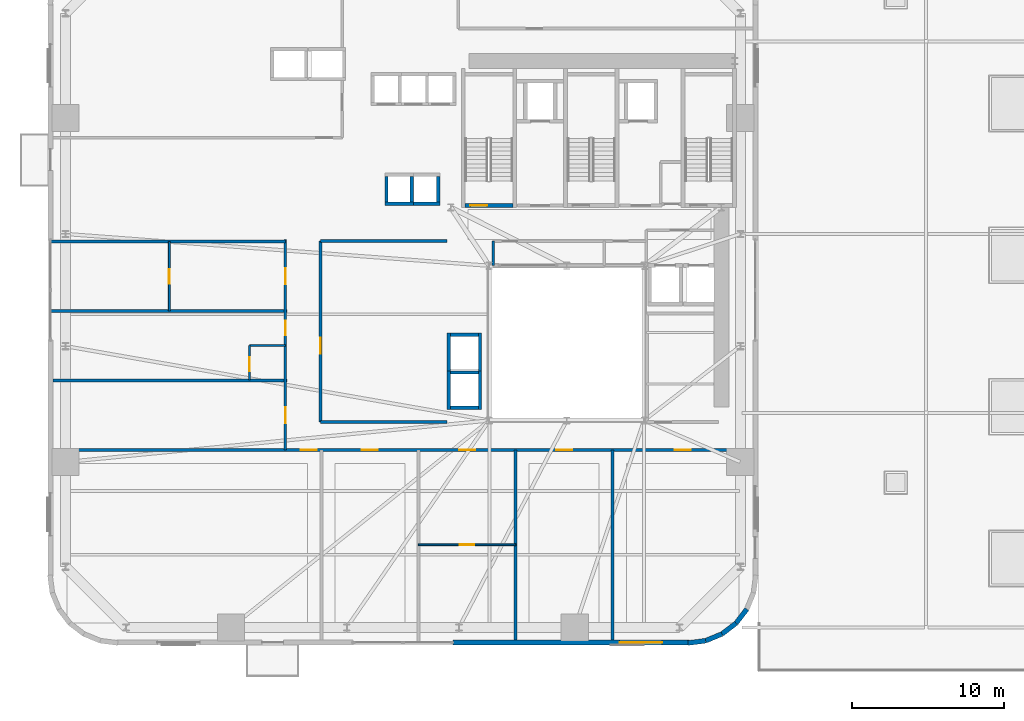
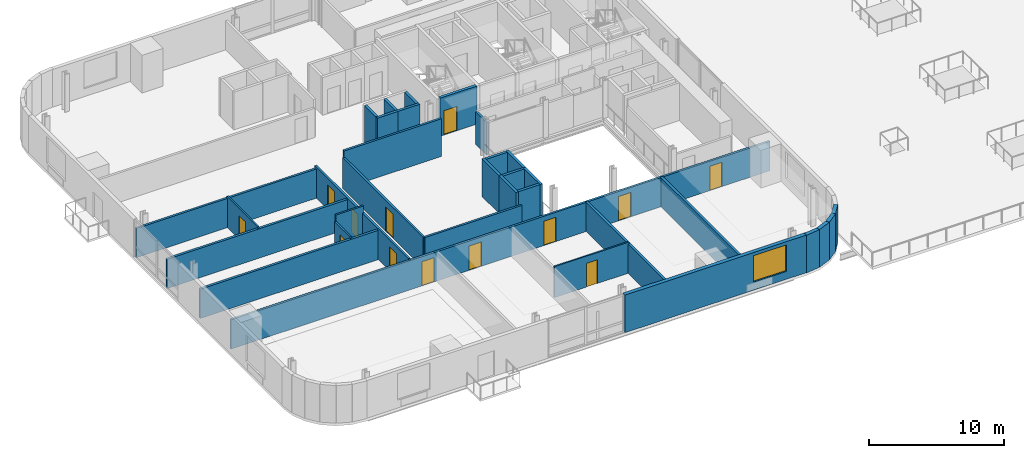
# One storey, part 9 of 18: 33 walls, 13 doors, 1 window, 14 openings.
"""IFC4 building model written with IfcOpenShell, lengths in metres."""

from ifc_helpers import new_model, si_unit, direction, frame, frame_2d, origin, place, context, subcontext, project, spatial, rectangle, extrude, source, transform, mapped, material, layer, layer_set, type_object, element, fill, save


model = new_model("IFC4")

# Units and contexts
model_context = context("Model", 3, precision=1e-05, world=origin(), true_north=direction((0.0, 1.0)))
body_context = subcontext(model_context, "Body", "Model", "MODEL_VIEW")
ifc_project = project(units=[si_unit("LENGTHUNIT", "METRE"), si_unit("AREAUNIT", "SQUARE_METRE"), si_unit("VOLUMEUNIT", "CUBIC_METRE"), si_unit("PLANEANGLEUNIT", "RADIAN"), si_unit("MASSUNIT", "GRAM", prefix="KILO")], contexts=[model_context])

# Site, building, storey
site_placement = place(None, origin())
site = spatial("IfcSite", under=ifc_project, at=site_placement, CompositionType="ELEMENT")
building_placement = place(site_placement, origin())
building = spatial("IfcBuilding", under=site, at=building_placement, Name="Vardaveli Station Tower", CompositionType="ELEMENT")
storey_placement = place(building_placement, frame((0.0, 0.0, 27.60009765625)))
storey = spatial("IfcBuildingStorey", under=building, at=storey_placement, Name="L06", CompositionType="ELEMENT", Elevation=27.60009765625)

# Wall, opening, window
ifc_material_1 = material(Name="Precast concrete C45/55", Category="concrete")
ifc_layer_1 = layer(ifc_material_1, 0.320068359375, Name="Precast concrete C45/55")
ifc_layer_set_1 = layer_set([ifc_layer_1], Name="Precast concrete C45/55")
wall_type_1 = type_object("IfcWallType", Name="WAL-EXT-STONE-320", PredefinedType="SOLIDWALL", material=ifc_layer_set_1)
shared_shape_1 = source(origin(), body_context, "Body", "SweptSolid", [
    extrude(rectangle(XDim=15.599853515625, YDim=0.320068359375, at=frame_2d((7.7998046875, 0.0))), origin(), (0.0, 0.0, 1.0), 3.409912109375),
])
wall_1_placement = place(storey_placement, frame((28.800048828125, 1.9599609375, 0.0), z_axis=(0.0, 0.0, 1.0), x_axis=(1.0, 0.0, 0.0)))
wall_1 = element("IfcWall", 1, at=wall_1_placement, inside=storey, type_object=wall_type_1, Name="EW-L06-S2", PredefinedType="SOLIDWALL", context=body_context, shape_type="MappedRepresentation", body=[
    mapped(shared_shape_1, transform((0.0, 0.0, 0.0), scale=1.0)),
])
shared_shape_2 = source(origin(), body_context, "Body", "SweptSolid", [
    extrude(rectangle(XDim=2.800048828125, YDim=2.39990234375, at=frame_2d((1.39990234375, 1.199951171875))), frame((0.0, 0.169921875, 0.0), z_axis=(0.0, -1.0, 0.0), x_axis=(1.0, 0.0, 0.0)), (0.0, 0.0, 1.0), 0.340087890625),
])
opening_1_placement = place(wall_1_placement, frame((10.9951171875, 0.0, 0.719970703125)))
opening_1 = element("IfcOpeningElement", 2, at=opening_1_placement, cuts=wall_1, Name="Opening W-04", PredefinedType="OPENING", context=body_context, shape_type="MappedRepresentation", body=[
    mapped(shared_shape_2, transform((0.0, 0.0, 0.0), scale=1.0)),
])
ifc_material_2 = material(Name="Low-E solar-control glass", Category="glass")
window_type = type_object("IfcWindowType", Name="WIN-SUITE-2800x2400", PartitioningType="SINGLE_PANEL", PredefinedType="WINDOW", material=ifc_material_2)
shared_shape_3 = source(origin(), body_context, "Body", "SweptSolid", [
    extrude(rectangle(XDim=2.800048828125, YDim=2.39990234375, at=frame_2d((1.39990234375, 1.199951171875))), frame((0.0, 0.030029296875, 0.0), z_axis=(0.0, -1.0, 0.0), x_axis=(1.0, 0.0, 0.0)), (0.0, 0.0, 1.0), 0.06005859375),
])
window_placement = place(opening_1_placement, origin())
window = element("IfcWindow", 3, at=window_placement, inside=storey, type_object=window_type, Name="WN-L06-S2", OverallHeight=2.39990234375, OverallWidth=2.800048828125, PartitioningType="SINGLE_PANEL", PredefinedType="WINDOW", context=body_context, shape_type="MappedRepresentation", body=[
    mapped(shared_shape_3, transform((0.0, 0.0, 0.0), scale=1.0)),
])
fill(opening_1, window)

# Walls
shared_shape_4 = source(origin(), body_context, "Body", "SweptSolid", [
    extrude(rectangle(XDim=1.1689453125, YDim=0.320068359375, at=frame_2d((0.58447265625, 0.0))), origin(), (0.0, 0.0, 1.0), 3.409912109375),
])
wall_2_placement = place(storey_placement, frame((47.46875, 3.231201171875, 0.0), z_axis=(0.0, 0.0, 1.0), x_axis=(0.608387696831, 0.793639975269, 0.0)))
element("IfcWall", 4, at=wall_2_placement, inside=storey, type_object=wall_type_1, Name="EW-L06-CR2-4", PredefinedType="SOLIDWALL", context=body_context, shape_type="MappedRepresentation", body=[
    mapped(shared_shape_4, transform((0.0, 0.0, 0.0), scale=1.0)),
])
shared_shape_5 = source(origin(), body_context, "Body", "SweptSolid", [
    extrude(rectangle(XDim=1.168701171875, YDim=0.320068359375, at=frame_2d((0.58447265625, 0.0))), origin(), (0.0, 0.0, 1.0), 3.409912109375),
])
wall_3_placement = place(storey_placement, frame((46.541259765625, 2.520263671875, 0.0), z_axis=(0.0, 0.0, 1.0), x_axis=(0.793663520347, 0.608356981114, 0.0)))
element("IfcWall", 5, at=wall_3_placement, inside=storey, type_object=wall_type_1, Name="EW-L06-CR2-3", PredefinedType="SOLIDWALL", context=body_context, shape_type="MappedRepresentation", body=[
    mapped(shared_shape_5, transform((0.0, 0.0, 0.0), scale=1.0)),
])
shared_shape_6 = source(origin(), body_context, "Body", "SweptSolid", [
    extrude(rectangle(XDim=1.16943359375, YDim=0.320068359375, at=frame_2d((0.584716796875, 0.0))), origin(), (0.0, 0.0, 1.0), 3.409912109375),
])
wall_4_placement = place(storey_placement, frame((45.460205078125, 2.074462890625, 0.0), z_axis=(0.0, 0.0, 1.0), x_axis=(0.924479075121, 0.381232789334, 0.0)))
element("IfcWall", 6, at=wall_4_placement, inside=storey, type_object=wall_type_1, Name="EW-L06-CR2-2", PredefinedType="SOLIDWALL", context=body_context, shape_type="MappedRepresentation", body=[
    mapped(shared_shape_6, transform((0.0, 0.0, 0.0), scale=1.0)),
])
shared_shape_7 = source(origin(), body_context, "Body", "SweptSolid", [
    extrude(rectangle(XDim=1.170166015625, YDim=0.320068359375, at=frame_2d((0.5849609375, 0.0))), origin(), (0.0, 0.0, 1.0), 3.409912109375),
])
wall_5_placement = place(storey_placement, frame((44.299560546875, 1.924560546875, 0.0), z_axis=(0.0, 0.0, 1.0), x_axis=(0.991762485493, 0.128090485085, 0.0)))
element("IfcWall", 7, at=wall_5_placement, inside=storey, type_object=wall_type_1, Name="EW-L06-CR2-1", PredefinedType="SOLIDWALL", context=body_context, shape_type="MappedRepresentation", body=[
    mapped(shared_shape_7, transform((0.0, 0.0, 0.0), scale=1.0)),
])

# Wall, opening, door
ifc_material_3 = material(Name="Concrete C40/50", Category="concrete")
ifc_layer_2 = layer(ifc_material_3, 0.25, Name="Concrete C40/50")
ifc_layer_set_2 = layer_set([ifc_layer_2], Name="Concrete C40/50")
wall_type_2 = type_object("IfcWallType", Name="WAL-SHAFT-250", PredefinedType="SOLIDWALL", material=ifc_layer_set_2)
shared_shape_8 = source(origin(), body_context, "Body", "SweptSolid", [
    extrude(rectangle(XDim=3.14990234375, YDim=0.25, at=frame_2d((1.574951171875, 0.0))), origin(), (0.0, 0.0, 1.0), 3.449951171875),
])
wall_6_placement = place(storey_placement, frame((29.60009765625, 30.77490234375, 0.0), z_axis=(0.0, 0.0, 1.0), x_axis=(1.0, 0.0, 0.0)))
wall_6 = element("IfcWall", 8, at=wall_6_placement, inside=storey, type_object=wall_type_2, Name="W-L06-ST-1S", PredefinedType="SOLIDWALL", context=body_context, shape_type="MappedRepresentation", body=[
    mapped(shared_shape_8, transform((0.0, 0.0, 0.0), scale=1.0)),
])
shared_shape_9 = source(origin(), body_context, "Body", "SweptSolid", [
    extrude(rectangle(XDim=1.10009765625, YDim=2.199951171875, at=frame_2d((0.550048828125, 1.10009765625))), frame((0.0, 0.135009765625, 0.0), z_axis=(0.0, -1.0, 0.0), x_axis=(1.0, 0.0, 0.0)), (0.0, 0.0, 1.0), 0.27001953125),
])
opening_2_placement = place(wall_6_placement, frame((0.35009765625, 0.0, 0.0)))
opening_2 = element("IfcOpeningElement", 9, at=opening_2_placement, cuts=wall_6, Name="Opening D-04", PredefinedType="OPENING", context=body_context, shape_type="MappedRepresentation", body=[
    mapped(shared_shape_9, transform((0.0, 0.0, 0.0), scale=1.0)),
])
ifc_material_4 = material(Name="Steel smokeproof fire doorset", Category="steel")
door_type_1 = type_object("IfcDoorType", Name="DR-ST-1100x2200", OperationType="NOTDEFINED", PredefinedType="DOOR", material=ifc_material_4)
shared_shape_10 = source(origin(), body_context, "Body", "SweptSolid", [
    extrude(rectangle(XDim=1.10009765625, YDim=2.199951171875, at=frame_2d((0.550048828125, 1.10009765625))), frame((0.0, 0.02490234375, 0.0), z_axis=(0.0, -1.0, 0.0), x_axis=(1.0, 0.0, 0.0)), (0.0, 0.0, 1.0), 0.050048828125),
])
door_1_placement = place(opening_2_placement, origin())
door_1 = element("IfcDoor", 10, at=door_1_placement, inside=storey, type_object=door_type_1, Name="DST-1-L06", OperationType="SINGLE_SWING_LEFT", OverallHeight=2.199951171875, OverallWidth=1.10009765625, PredefinedType="DOOR", context=body_context, shape_type="MappedRepresentation", body=[
    mapped(shared_shape_10, transform((0.0, 0.0, 0.0), scale=1.0)),
])
fill(opening_2, door_1)

# Walls
ifc_layer_3 = layer(ifc_material_3, 0.219970703125, Name="Concrete C40/50")
ifc_layer_set_3 = layer_set([ifc_layer_3], Name="Concrete C40/50")
wall_type_3 = type_object("IfcWallType", Name="WAL-FFLOBBY-220", PredefinedType="SOLIDWALL", material=ifc_layer_set_3)
shared_shape_11 = source(origin(), body_context, "Body", "SweptSolid", [
    extrude(rectangle(XDim=1.89013671875, YDim=0.219970703125, at=frame_2d((0.945068359375, 0.0))), origin(), (0.0, 0.0, 1.0), 3.409912109375),
])
for number, where, z_axis, x_axis, name in (
    (11, (24.304931640625, 30.889892578125, 0.0), (0.0, 0.0, 1.0), (1.0, 0.0, 0.0), "SHW-SHU-01-L06-S"),
    (12, (26.054931640625, 30.889892578125, 0.0), (0.0, 0.0, 1.0), (1.0, 0.0, 0.0), "SHW-SHU-02-L06-S"),
):
    element("IfcWall", number, at=place(storey_placement, frame(where, z_axis=z_axis, x_axis=x_axis)), inside=storey, type_object=wall_type_3, Name=name, PredefinedType="SOLIDWALL", context=body_context, shape_type="MappedRepresentation", body=[
        mapped(shared_shape_11, transform((0.0, 0.0, 0.0), scale=1.0)),
    ])
shared_shape_12 = source(origin(), body_context, "Body", "SweptSolid", [
    extrude(rectangle(XDim=1.699951171875, YDim=0.219970703125, at=frame_2d((0.85009765625, 0.0))), origin(), (0.0, 0.0, 1.0), 3.409912109375),
])
for number, where, z_axis, x_axis, name in (
    (13, (24.4150390625, 31.0, 0.0), (0.0, 0.0, 1.0), (0.0, 1.0, 0.0), "SHW-SHU-01-L06-W"),
    (14, (26.0849609375, 31.0, 0.0), (0.0, 0.0, 1.0), (0.0, 1.0, 0.0), "SHW-SHU-01-L06-E"),
    (15, (27.8349609375, 31.0, 0.0), (0.0, 0.0, 1.0), (0.0, 1.0, 0.0), "SHW-SHU-02-L06-E"),
):
    element("IfcWall", number, at=place(storey_placement, frame(where, z_axis=z_axis, x_axis=x_axis)), inside=storey, type_object=wall_type_3, Name=name, PredefinedType="SOLIDWALL", context=body_context, shape_type="MappedRepresentation", body=[
        mapped(shared_shape_12, transform((0.0, 0.0, 0.0), scale=1.0)),
    ])
shared_shape_13 = source(origin(), body_context, "Body", "SweptSolid", [
    extrude(rectangle(XDim=1.85009765625, YDim=0.219970703125, at=frame_2d((0.925048828125, 0.0))), origin(), (0.0, 0.0, 1.0), 3.409912109375),
])
for number, where, z_axis, x_axis, name in (
    (16, (28.625, 17.43994140625, 0.0), (0.0, 0.0, 1.0), (1.0, 0.0, 0.0), "SHW-OBS-01-L06-S"),
    (17, (28.625, 19.760009765625, 0.0), (0.0, 0.0, 1.0), (1.0, 0.0, 0.0), "SHW-OBS-01-L06-N"),
    (18, (28.625, 22.260009765625, 0.0), (0.0, 0.0, 1.0), (1.0, 0.0, 0.0), "SHW-OBS-02-L06-N"),
):
    element("IfcWall", number, at=place(storey_placement, frame(where, z_axis=z_axis, x_axis=x_axis)), inside=storey, type_object=wall_type_3, Name=name, PredefinedType="SOLIDWALL", context=body_context, shape_type="MappedRepresentation", body=[
        mapped(shared_shape_13, transform((0.0, 0.0, 0.0), scale=1.0)),
    ])
shared_shape_14 = source(origin(), body_context, "Body", "SweptSolid", [
    extrude(rectangle(XDim=2.5400390625, YDim=0.219970703125, at=frame_2d((1.27001953125, 0.0))), origin(), (0.0, 0.0, 1.0), 3.409912109375),
])
for number, where, z_axis, x_axis, name in (
    (19, (28.514892578125, 17.330078125, 0.0), (0.0, 0.0, 1.0), (0.0, 1.0, 0.0), "SHW-OBS-01-L06-W"),
    (20, (30.5849609375, 17.330078125, 0.0), (0.0, 0.0, 1.0), (0.0, 1.0, 0.0), "SHW-OBS-01-L06-E"),
    (21, (28.514892578125, 19.830078125, 0.0), (0.0, 0.0, 1.0), (0.0, 1.0, 0.0), "SHW-OBS-02-L06-W"),
    (22, (30.5849609375, 19.830078125, 0.0), (0.0, 0.0, 1.0), (0.0, 1.0, 0.0), "SHW-OBS-02-L06-E"),
):
    element("IfcWall", number, at=place(storey_placement, frame(where, z_axis=z_axis, x_axis=x_axis)), inside=storey, type_object=wall_type_3, Name=name, PredefinedType="SOLIDWALL", context=body_context, shape_type="MappedRepresentation", body=[
        mapped(shared_shape_14, transform((0.0, 0.0, 0.0), scale=1.0)),
    ])

# Wall, openings, doors
ifc_material_5 = material(Name="Fire-rated gypsum stud partition")
ifc_layer_4 = layer(ifc_material_5, 0.179931640625, Name="Fire-rated gypsum stud partition")
ifc_layer_set_4 = layer_set([ifc_layer_4], Name="Fire-rated gypsum stud partition")
wall_type_4 = type_object("IfcWallType", Name="WAL-CORR-180", PredefinedType="PARTITIONING", material=ifc_layer_set_4)
shared_shape_15 = source(origin(), body_context, "Body", "SweptSolid", [
    extrude(rectangle(XDim=46.15576171875, YDim=0.179931640625, at=frame_2d((23.077880859375, 0.0))), origin(), (0.0, 0.0, 1.0), 2.65185546875),
])
wall_7_placement = place(storey_placement, frame((2.422119140625, 14.659912109375, 0.0), z_axis=(0.0, 0.0, 1.0), x_axis=(1.0, 0.0, 0.0)))
wall_7 = element("IfcWall", 23, at=wall_7_placement, inside=storey, type_object=wall_type_4, Name="W-L06-CS", PredefinedType="PARTITIONING", context=body_context, shape_type="MappedRepresentation", body=[
    mapped(shared_shape_15, transform((0.0, 0.0, 0.0), scale=1.0)),
])
shared_shape_16 = source(origin(), body_context, "Body", "SweptSolid", [
    extrude(rectangle(XDim=1.050048828125, YDim=2.199951171875, at=frame_2d((0.52490234375, 1.10009765625))), frame((0.0, 0.10009765625, 0.0), z_axis=(0.0, -1.0, 0.0), x_axis=(1.0, 0.0, 0.0)), (0.0, 0.0, 1.0), 0.199951171875),
])
opening_3_placement = place(wall_7_placement, frame((16.347900390625, 0.0, 0.0)))
opening_3 = element("IfcOpeningElement", 24, at=opening_3_placement, cuts=wall_7, Name="Opening D-05", PredefinedType="OPENING", context=body_context, shape_type="MappedRepresentation", body=[
    mapped(shared_shape_16, transform((0.0, 0.0, 0.0), scale=1.0)),
])
opening_4_placement = place(wall_7_placement, frame((20.379638671875, 0.0, 0.0)))
opening_4 = element("IfcOpeningElement", 25, at=opening_4_placement, cuts=wall_7, Name="Opening D-05", PredefinedType="OPENING", context=body_context, shape_type="MappedRepresentation", body=[
    mapped(shared_shape_16, transform((0.0, 0.0, 0.0), scale=1.0)),
])
opening_5_placement = place(wall_7_placement, frame((26.782958984375, 0.0, 0.0)))
opening_5 = element("IfcOpeningElement", 26, at=opening_5_placement, cuts=wall_7, Name="Opening D-05", PredefinedType="OPENING", context=body_context, shape_type="MappedRepresentation", body=[
    mapped(shared_shape_16, transform((0.0, 0.0, 0.0), scale=1.0)),
])
opening_6_placement = place(wall_7_placement, frame((33.186279296875, 0.0, 0.0)))
opening_6 = element("IfcOpeningElement", 27, at=opening_6_placement, cuts=wall_7, Name="Opening D-05", PredefinedType="OPENING", context=body_context, shape_type="MappedRepresentation", body=[
    mapped(shared_shape_16, transform((0.0, 0.0, 0.0), scale=1.0)),
])
opening_7_placement = place(wall_7_placement, frame((40.998046875, 0.0, 0.0)))
opening_7 = element("IfcOpeningElement", 28, at=opening_7_placement, cuts=wall_7, Name="Opening D-05", PredefinedType="OPENING", context=body_context, shape_type="MappedRepresentation", body=[
    mapped(shared_shape_16, transform((0.0, 0.0, 0.0), scale=1.0)),
])
ifc_material_6 = material(Name="Walnut veneer acoustic fire door")
door_type_2 = type_object("IfcDoorType", Name="DR-SUITE-1050x2200", OperationType="NOTDEFINED", PredefinedType="DOOR", material=ifc_material_6)
shared_shape_17 = source(origin(), body_context, "Body", "SweptSolid", [
    extrude(rectangle(XDim=1.050048828125, YDim=2.199951171875, at=frame_2d((0.52490234375, 1.10009765625))), frame((0.0, 0.02490234375, 0.0), z_axis=(0.0, -1.0, 0.0), x_axis=(1.0, 0.0, 0.0)), (0.0, 0.0, 1.0), 0.050048828125),
])
door_2_placement = place(opening_3_placement, origin())
door_2 = element("IfcDoor", 29, at=door_2_placement, inside=storey, type_object=door_type_2, Name="D-L06-SA1", OperationType="SINGLE_SWING_RIGHT", OverallHeight=2.199951171875, OverallWidth=1.050048828125, PredefinedType="DOOR", context=body_context, shape_type="MappedRepresentation", body=[
    mapped(shared_shape_17, transform((0.0, 0.0, 0.0), scale=1.0)),
])
fill(opening_3, door_2)
door_3_placement = place(opening_4_placement, origin())
door_3 = element("IfcDoor", 30, at=door_3_placement, inside=storey, type_object=door_type_2, Name="D-L06-SA2", OperationType="SINGLE_SWING_LEFT", OverallHeight=2.199951171875, OverallWidth=1.050048828125, PredefinedType="DOOR", context=body_context, shape_type="MappedRepresentation", body=[
    mapped(shared_shape_17, transform((0.0, 0.0, 0.0), scale=1.0)),
])
fill(opening_4, door_3)
door_4_placement = place(opening_5_placement, origin())
door_4 = element("IfcDoor", 31, at=door_4_placement, inside=storey, type_object=door_type_2, Name="D-L06-SCB3", OperationType="SINGLE_SWING_RIGHT", OverallHeight=2.199951171875, OverallWidth=1.050048828125, PredefinedType="DOOR", context=body_context, shape_type="MappedRepresentation", body=[
    mapped(shared_shape_17, transform((0.0, 0.0, 0.0), scale=1.0)),
])
fill(opening_5, door_4)
door_5_placement = place(opening_6_placement, origin())
door_5 = element("IfcDoor", 32, at=door_5_placement, inside=storey, type_object=door_type_2, Name="D-L06-SA4", OperationType="SINGLE_SWING_LEFT", OverallHeight=2.199951171875, OverallWidth=1.050048828125, PredefinedType="DOOR", context=body_context, shape_type="MappedRepresentation", body=[
    mapped(shared_shape_17, transform((0.0, 0.0, 0.0), scale=1.0)),
])
fill(opening_6, door_5)
door_6_placement = place(opening_7_placement, origin())
door_6 = element("IfcDoor", 33, at=door_6_placement, inside=storey, type_object=door_type_2, Name="D-L06-SA5", OperationType="SINGLE_SWING_RIGHT", OverallHeight=2.199951171875, OverallWidth=1.050048828125, PredefinedType="DOOR", context=body_context, shape_type="MappedRepresentation", body=[
    mapped(shared_shape_17, transform((0.0, 0.0, 0.0), scale=1.0)),
])
fill(opening_7, door_6)

shared_shape_18 = source(origin(), body_context, "Body", "SweptSolid", [
    extrude(rectangle(XDim=13.89013671875, YDim=0.179931640625, at=frame_2d((6.945068359375, 0.0))), origin(), (0.0, 0.0, 1.0), 2.802001953125),
])
wall_8_placement = place(storey_placement, frame((17.75, 14.659912109375, 0.0), z_axis=(0.0, 0.0, 1.0), x_axis=(0.0, 1.0, 0.0)))
wall_8 = element("IfcWall", 34, at=wall_8_placement, inside=storey, type_object=wall_type_4, Name="W-L06-CW", PredefinedType="PARTITIONING", context=body_context, shape_type="MappedRepresentation", body=[
    mapped(shared_shape_18, transform((0.0, 0.0, 0.0), scale=1.0)),
])
opening_8_placement = place(wall_8_placement, frame((1.77001953125, 0.0, 0.0)))
opening_8 = element("IfcOpeningElement", 35, at=opening_8_placement, cuts=wall_8, Name="Opening D-05", PredefinedType="OPENING", context=body_context, shape_type="MappedRepresentation", body=[
    mapped(shared_shape_16, transform((0.0, 0.0, 0.0), scale=1.0)),
])
shared_shape_19 = source(origin(), body_context, "Body", "SweptSolid", [
    extrude(rectangle(XDim=0.949951171875, YDim=2.14990234375, at=frame_2d((0.47509765625, 1.074951171875))), frame((0.0, 0.10009765625, 0.0), z_axis=(0.0, -1.0, 0.0), x_axis=(1.0, 0.0, 0.0)), (0.0, 0.0, 1.0), 0.199951171875),
])
opening_9_placement = place(wall_8_placement, frame((7.574951171875, 0.0, 0.0)))
opening_9 = element("IfcOpeningElement", 36, at=opening_9_placement, cuts=wall_8, Name="Opening D-06", PredefinedType="OPENING", context=body_context, shape_type="MappedRepresentation", body=[
    mapped(shared_shape_19, transform((0.0, 0.0, 0.0), scale=1.0)),
])
opening_10_placement = place(wall_8_placement, frame((10.929931640625, 0.0, 0.0)))
opening_10 = element("IfcOpeningElement", 37, at=opening_10_placement, cuts=wall_8, Name="Opening D-05", PredefinedType="OPENING", context=body_context, shape_type="MappedRepresentation", body=[
    mapped(shared_shape_16, transform((0.0, 0.0, 0.0), scale=1.0)),
])
door_7_placement = place(opening_8_placement, origin())
door_7 = element("IfcDoor", 38, at=door_7_placement, inside=storey, type_object=door_type_2, Name="D-L06-GW1", OperationType="SINGLE_SWING_LEFT", OverallHeight=2.199951171875, OverallWidth=1.050048828125, PredefinedType="DOOR", context=body_context, shape_type="MappedRepresentation", body=[
    mapped(shared_shape_17, transform((0.0, 0.0, 0.0), scale=1.0)),
])
fill(opening_8, door_7)
door_8_placement = place(opening_10_placement, origin())
door_8 = element("IfcDoor", 39, at=door_8_placement, inside=storey, type_object=door_type_2, Name="D-L06-GW3", OperationType="SINGLE_SWING_LEFT", OverallHeight=2.199951171875, OverallWidth=1.050048828125, PredefinedType="DOOR", context=body_context, shape_type="MappedRepresentation", body=[
    mapped(shared_shape_17, transform((0.0, 0.0, 0.0), scale=1.0)),
])
fill(opening_10, door_8)
ifc_material_7 = material(Name="Oak veneer acoustic fire door")
door_type_3 = type_object("IfcDoorType", Name="DR-GUEST-950x2150", OperationType="NOTDEFINED", PredefinedType="DOOR", material=ifc_material_7)
shared_shape_20 = source(origin(), body_context, "Body", "SweptSolid", [
    extrude(rectangle(XDim=0.949951171875, YDim=2.14990234375, at=frame_2d((0.47509765625, 1.074951171875))), frame((0.0, 0.02490234375, 0.0), z_axis=(0.0, -1.0, 0.0), x_axis=(1.0, 0.0, 0.0)), (0.0, 0.0, 1.0), 0.050048828125),
])
door_9_placement = place(opening_9_placement, origin())
door_9 = element("IfcDoor", 40, at=door_9_placement, inside=storey, type_object=door_type_3, Name="D-L06-GW2", OperationType="SINGLE_SWING_RIGHT", OverallHeight=2.14990234375, OverallWidth=0.949951171875, PredefinedType="DOOR", context=body_context, shape_type="MappedRepresentation", body=[
    mapped(shared_shape_20, transform((0.0, 0.0, 0.0), scale=1.0)),
])
fill(opening_9, door_9)

# Wall, opening, door
shared_shape_21 = source(origin(), body_context, "Body", "SweptSolid", [
    extrude(rectangle(XDim=11.93994140625, YDim=0.179931640625, at=frame_2d((5.969970703125, 0.0))), origin(), (0.0, 0.0, 1.0), 2.802001953125),
])
wall_9_placement = place(storey_placement, frame((20.070068359375, 16.5, 0.0), z_axis=(0.0, 0.0, 1.0), x_axis=(0.0, 1.0, 0.0)))
wall_9 = element("IfcWall", 41, at=wall_9_placement, inside=storey, type_object=wall_type_4, Name="W-L06-ATW-W", PredefinedType="PARTITIONING", context=body_context, shape_type="MappedRepresentation", body=[
    mapped(shared_shape_21, transform((0.0, 0.0, 0.0), scale=1.0)),
])
opening_11_placement = place(wall_9_placement, frame((4.5, 0.0, 0.0)))
opening_11 = element("IfcOpeningElement", 42, at=opening_11_placement, cuts=wall_9, Name="Opening D-05", PredefinedType="OPENING", context=body_context, shape_type="MappedRepresentation", body=[
    mapped(shared_shape_16, transform((0.0, 0.0, 0.0), scale=1.0)),
])
door_10_placement = place(opening_11_placement, origin())
door_10 = element("IfcDoor", 43, at=door_10_placement, inside=storey, type_object=door_type_2, Name="D-L06-ATW1", OperationType="SINGLE_SWING_LEFT", OverallHeight=2.199951171875, OverallWidth=1.050048828125, PredefinedType="DOOR", context=body_context, shape_type="MappedRepresentation", body=[
    mapped(shared_shape_17, transform((0.0, 0.0, 0.0), scale=1.0)),
])
fill(opening_11, door_10)

ifc_material_8 = material(Name="Gypsum board stud partition")
ifc_layer_5 = layer(ifc_material_8, 0.125, Name="Gypsum board stud partition")
ifc_layer_set_5 = layer_set([ifc_layer_5], Name="Gypsum board stud partition")
wall_type_5 = type_object("IfcWallType", Name="WAL-INT-125", PredefinedType="PARTITIONING", material=ifc_layer_set_5)
shared_shape_22 = source(origin(), body_context, "Body", "SweptSolid", [
    extrude(rectangle(XDim=6.404052734375, YDim=0.125, at=frame_2d((3.2021484375, 0.0))), origin(), (0.0, 0.0, 1.0), 2.802001953125),
])
wall_10_placement = place(storey_placement, frame((26.52294921875, 8.405029296875, 0.0), z_axis=(0.0, 0.0, 1.0), x_axis=(1.0, 0.0, 0.0)))
wall_10 = element("IfcWall", 44, at=wall_10_placement, inside=storey, type_object=wall_type_5, Name="W-L06-SCM3", PredefinedType="PARTITIONING", context=body_context, shape_type="MappedRepresentation", body=[
    mapped(shared_shape_22, transform((0.0, 0.0, 0.0), scale=1.0)),
])
shared_shape_23 = source(origin(), body_context, "Body", "SweptSolid", [
    extrude(rectangle(XDim=0.949951171875, YDim=2.14990234375, at=frame_2d((0.47509765625, 1.074951171875))), frame((0.0, 0.072509765625, 0.0), z_axis=(0.0, -1.0, 0.0), x_axis=(1.0, 0.0, 0.0)), (0.0, 0.0, 1.0), 0.14501953125),
])
opening_12_placement = place(wall_10_placement, frame((2.7216796875, 0.0, 0.0)))
opening_12 = element("IfcOpeningElement", 45, at=opening_12_placement, cuts=wall_10, Name="Opening D-11", PredefinedType="OPENING", context=body_context, shape_type="MappedRepresentation", body=[
    mapped(shared_shape_23, transform((0.0, 0.0, 0.0), scale=1.0)),
])
ifc_material_9 = material(Name="Oak veneer internal suite door")
door_type_4 = type_object("IfcDoorType", Name="DR-INT-950x2150", OperationType="NOTDEFINED", PredefinedType="DOOR", material=ifc_material_9)
door_11_placement = place(opening_12_placement, origin())
door_11 = element("IfcDoor", 46, at=door_11_placement, inside=storey, type_object=door_type_4, Name="D-L06-SCF3", OperationType="SINGLE_SWING_LEFT", OverallHeight=2.14990234375, OverallWidth=0.949951171875, PredefinedType="DOOR", context=body_context, shape_type="MappedRepresentation", body=[
    mapped(shared_shape_20, transform((0.0, 0.0, 0.0), scale=1.0)),
])
fill(opening_12, door_11)

shared_shape_24 = source(origin(), body_context, "Body", "SweptSolid", [
    extrude(rectangle(XDim=4.579833984375, YDim=0.125, at=frame_2d((2.2900390625, 0.0))), origin(), (0.0, 0.0, 1.0), 2.802001953125),
])
wall_11_placement = place(storey_placement, frame((10.10009765625, 23.820068359375, 0.0), z_axis=(0.0, 0.0, 1.0), x_axis=(0.0, 1.0, 0.0)))
wall_11 = element("IfcWall", 47, at=wall_11_placement, inside=storey, type_object=wall_type_5, Name="W-L06-WCM3", PredefinedType="PARTITIONING", context=body_context, shape_type="MappedRepresentation", body=[
    mapped(shared_shape_24, transform((0.0, 0.0, 0.0), scale=1.0)),
])
opening_13_placement = place(wall_11_placement, frame((1.81005859375, 0.0, 0.0)))
opening_13 = element("IfcOpeningElement", 48, at=opening_13_placement, cuts=wall_11, Name="Opening D-11", PredefinedType="OPENING", context=body_context, shape_type="MappedRepresentation", body=[
    mapped(shared_shape_23, transform((0.0, 0.0, 0.0), scale=1.0)),
])
door_12_placement = place(opening_13_placement, origin())
door_12 = element("IfcDoor", 49, at=door_12_placement, inside=storey, type_object=door_type_4, Name="D-L06-GWF3", OperationType="SINGLE_SWING_RIGHT", OverallHeight=2.14990234375, OverallWidth=0.949951171875, PredefinedType="DOOR", context=body_context, shape_type="MappedRepresentation", body=[
    mapped(shared_shape_20, transform((0.0, 0.0, 0.0), scale=1.0)),
])
fill(opening_13, door_12)

ifc_material_10 = material(Name="Moisture-resistant stud partition")
ifc_layer_6 = layer(ifc_material_10, 0.14990234375, Name="Moisture-resistant stud partition")
ifc_layer_set_6 = layer_set([ifc_layer_6], Name="Moisture-resistant stud partition")
wall_type_6 = type_object("IfcWallType", Name="WAL-WET-150", PredefinedType="PARTITIONING", material=ifc_layer_set_6)
shared_shape_25 = source(origin(), body_context, "Body", "SweptSolid", [
    extrude(rectangle(XDim=2.2900390625, YDim=0.14990234375, at=frame_2d((1.14501953125, 0.0))), origin(), (0.0, 0.0, 1.0), 2.802001953125),
])
wall_12_placement = place(storey_placement, frame((15.389892578125, 19.260009765625, 0.0), z_axis=(0.0, 0.0, 1.0), x_axis=(0.0, 1.0, 0.0)))
wall_12 = element("IfcWall", 50, at=wall_12_placement, inside=storey, type_object=wall_type_6, Name="W-L06-BW2-W", PredefinedType="PARTITIONING", context=body_context, shape_type="MappedRepresentation", body=[
    mapped(shared_shape_25, transform((0.0, 0.0, 0.0), scale=1.0)),
])
shared_shape_26 = source(origin(), body_context, "Body", "SweptSolid", [
    extrude(rectangle(XDim=0.89990234375, YDim=2.10009765625, at=frame_2d((0.449951171875, 1.050048828125))), frame((0.0, 0.0849609375, 0.0), z_axis=(0.0, -1.0, 0.0), x_axis=(1.0, 0.0, 0.0)), (0.0, 0.0, 1.0), 0.169921875),
])
opening_14_placement = place(wall_12_placement, frame((0.60009765625, 0.0, 0.0)))
opening_14 = element("IfcOpeningElement", 51, at=opening_14_placement, cuts=wall_12, Name="Opening D-08", PredefinedType="OPENING", context=body_context, shape_type="MappedRepresentation", body=[
    mapped(shared_shape_26, transform((0.0, 0.0, 0.0), scale=1.0)),
])
ifc_material_11 = material(Name="Moisture-resistant oak door")
door_type_5 = type_object("IfcDoorType", Name="DR-BATH-900x2100", OperationType="NOTDEFINED", PredefinedType="DOOR", material=ifc_material_11)
shared_shape_27 = source(origin(), body_context, "Body", "SweptSolid", [
    extrude(rectangle(XDim=0.89990234375, YDim=2.10009765625, at=frame_2d((0.449951171875, 1.050048828125))), frame((0.0, 0.02490234375, 0.0), z_axis=(0.0, -1.0, 0.0), x_axis=(1.0, 0.0, 0.0)), (0.0, 0.0, 1.0), 0.050048828125),
])
door_13_placement = place(opening_14_placement, origin())
door_13 = element("IfcDoor", 52, at=door_13_placement, inside=storey, type_object=door_type_5, Name="D-L06-BW2", OperationType="SINGLE_SWING_RIGHT", OverallHeight=2.10009765625, OverallWidth=0.89990234375, PredefinedType="DOOR", context=body_context, shape_type="MappedRepresentation", body=[
    mapped(shared_shape_27, transform((0.0, 0.0, 0.0), scale=1.0)),
])
fill(opening_14, door_13)

# Walls
ifc_material_12 = material(Name="Acoustic twin-stud gypsum partition")
ifc_layer_7 = layer(ifc_material_12, 0.199951171875, Name="Acoustic twin-stud gypsum partition")
ifc_layer_set_7 = layer_set([ifc_layer_7], Name="Acoustic twin-stud gypsum partition")
wall_type_7 = type_object("IfcWallType", Name="WAL-PARTY-200", PredefinedType="PARTITIONING", material=ifc_layer_set_7)
shared_shape_28 = source(origin(), body_context, "Body", "SweptSolid", [
    extrude(rectangle(XDim=15.427978515625, YDim=0.199951171875, at=frame_2d((7.7138671875, 0.0))), origin(), (0.0, 0.0, 1.0), 2.65185546875),
])
wall_13_placement = place(storey_placement, frame((2.422119140625, 19.239990234375, 0.0), z_axis=(0.0, 0.0, 1.0), x_axis=(1.0, 0.0, 0.0)))
element("IfcWall", 53, at=wall_13_placement, inside=storey, type_object=wall_type_7, Name="W-L06-PW1", PredefinedType="PARTITIONING", context=body_context, shape_type="MappedRepresentation", body=[
    mapped(shared_shape_28, transform((0.0, 0.0, 0.0), scale=1.0)),
])
shared_shape_29 = source(origin(), body_context, "Body", "SweptSolid", [
    extrude(rectangle(XDim=15.6201171875, YDim=0.199951171875, at=frame_2d((7.81005859375, 0.0))), origin(), (0.0, 0.0, 1.0), 2.65185546875),
])
wall_14_placement = place(storey_placement, frame((2.22998046875, 23.820068359375, 0.0), z_axis=(0.0, 0.0, 1.0), x_axis=(1.0, 0.0, 0.0)))
element("IfcWall", 54, at=wall_14_placement, inside=storey, type_object=wall_type_7, Name="W-L06-PW2", PredefinedType="PARTITIONING", context=body_context, shape_type="MappedRepresentation", body=[
    mapped(shared_shape_29, transform((0.0, 0.0, 0.0), scale=1.0)),
])
shared_shape_30 = source(origin(), body_context, "Body", "SweptSolid", [
    extrude(rectangle(XDim=15.52001953125, YDim=0.179931640625, at=frame_2d((7.760009765625, 0.0))), origin(), (0.0, 0.0, 1.0), 2.65185546875),
])
wall_15_placement = place(storey_placement, frame((2.22998046875, 28.39990234375, 0.0), z_axis=(0.0, 0.0, 1.0), x_axis=(1.0, 0.0, 0.0)))
element("IfcWall", 55, at=wall_15_placement, inside=storey, type_object=wall_type_4, Name="W-L06-CWN", PredefinedType="PARTITIONING", context=body_context, shape_type="MappedRepresentation", body=[
    mapped(shared_shape_30, transform((0.0, 0.0, 0.0), scale=1.0)),
])
shared_shape_31 = source(origin(), body_context, "Body", "SweptSolid", [
    extrude(rectangle(XDim=12.537841796875, YDim=0.199951171875, at=frame_2d((6.26904296875, 0.0))), origin(), (0.0, 0.0, 1.0), 2.65185546875),
])
for number, where, z_axis, x_axis, name in (
    (56, (32.927001953125, 2.1220703125, 0.0), (0.0, 0.0, 1.0), (0.0, 1.0, 0.0), "W-L06-PS3"),
    (57, (39.330078125, 2.1220703125, 0.0), (0.0, 0.0, 1.0), (0.0, 1.0, 0.0), "W-L06-PS4"),
):
    element("IfcWall", number, at=place(storey_placement, frame(where, z_axis=z_axis, x_axis=x_axis)), inside=storey, type_object=wall_type_7, Name=name, PredefinedType="PARTITIONING", context=body_context, shape_type="MappedRepresentation", body=[
        mapped(shared_shape_31, transform((0.0, 0.0, 0.0), scale=1.0)),
    ])
shared_shape_32 = source(origin(), body_context, "Body", "SweptSolid", [
    extrude(rectangle(XDim=8.329833984375, YDim=0.179931640625, at=frame_2d((4.1650390625, 0.0))), origin(), (0.0, 0.0, 1.0), 2.802001953125),
])
wall_16_placement = place(storey_placement, frame((20.070068359375, 16.5, 0.0), z_axis=(0.0, 0.0, 1.0), x_axis=(1.0, 0.0, 0.0)))
element("IfcWall", 58, at=wall_16_placement, inside=storey, type_object=wall_type_4, Name="W-L06-ATW-S", PredefinedType="PARTITIONING", context=body_context, shape_type="MappedRepresentation", body=[
    mapped(shared_shape_32, transform((0.0, 0.0, 0.0), scale=1.0)),
])
shared_shape_33 = source(origin(), body_context, "Body", "SweptSolid", [
    extrude(rectangle(XDim=8.329833984375, YDim=0.179931640625, at=frame_2d((4.1650390625, 0.0))), origin(), (0.0, 0.0, 1.0), 3.409912109375),
])
wall_17_placement = place(storey_placement, frame((20.070068359375, 28.43994140625, 0.0), z_axis=(0.0, 0.0, 1.0), x_axis=(1.0, 0.0, 0.0)))
element("IfcWall", 59, at=wall_17_placement, inside=storey, type_object=wall_type_4, Name="W-L06-ATW-N", PredefinedType="PARTITIONING", context=body_context, shape_type="MappedRepresentation", body=[
    mapped(shared_shape_33, transform((0.0, 0.0, 0.0), scale=1.0)),
])
shared_shape_34 = source(origin(), body_context, "Body", "SweptSolid", [
    extrude(rectangle(XDim=2.360107421875, YDim=0.14990234375, at=frame_2d((1.18017578125, 0.0))), origin(), (0.0, 0.0, 1.0), 3.409912109375),
])
wall_18_placement = place(storey_placement, frame((15.389892578125, 21.550048828125, 0.0), z_axis=(0.0, 0.0, 1.0), x_axis=(1.0, 0.0, 0.0)))
element("IfcWall", 60, at=wall_18_placement, inside=storey, type_object=wall_type_6, Name="W-L06-BW2-N", PredefinedType="PARTITIONING", context=body_context, shape_type="MappedRepresentation", body=[
    mapped(shared_shape_34, transform((0.0, 0.0, 0.0), scale=1.0)),
])
shared_shape_35 = source(origin(), body_context, "Body", "SweptSolid", [
    extrude(rectangle(XDim=1.599853515625, YDim=0.179931640625, at=frame_2d((0.7998046875, 0.0))), origin(), (0.0, 0.0, 1.0), 2.951904296875),
])
wall_19_placement = place(storey_placement, frame((31.449951171875, 26.820068359375, 0.0), z_axis=(0.0, 0.0, 1.0), x_axis=(0.0, 1.0, 0.0)))
element("IfcWall", 61, at=wall_19_placement, inside=storey, type_object=wall_type_4, Name="W-L06-HKP0-W", PredefinedType="PARTITIONING", context=body_context, shape_type="MappedRepresentation", body=[
    mapped(shared_shape_35, transform((0.0, 0.0, 0.0), scale=1.0)),
])

save(model, "model.ifc")
